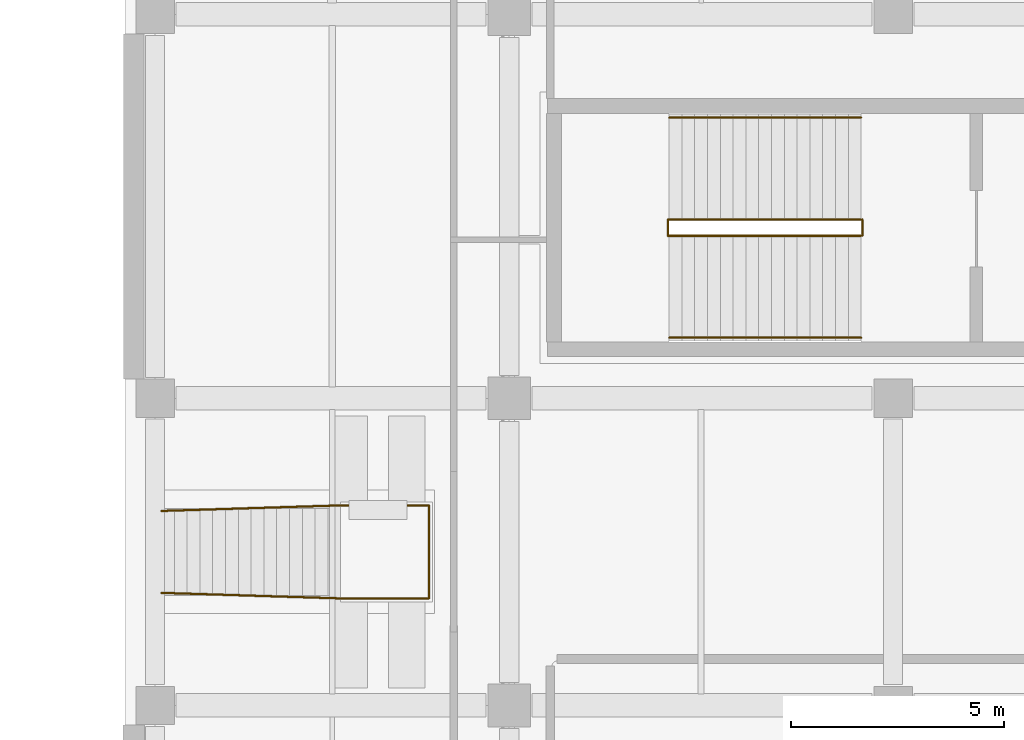
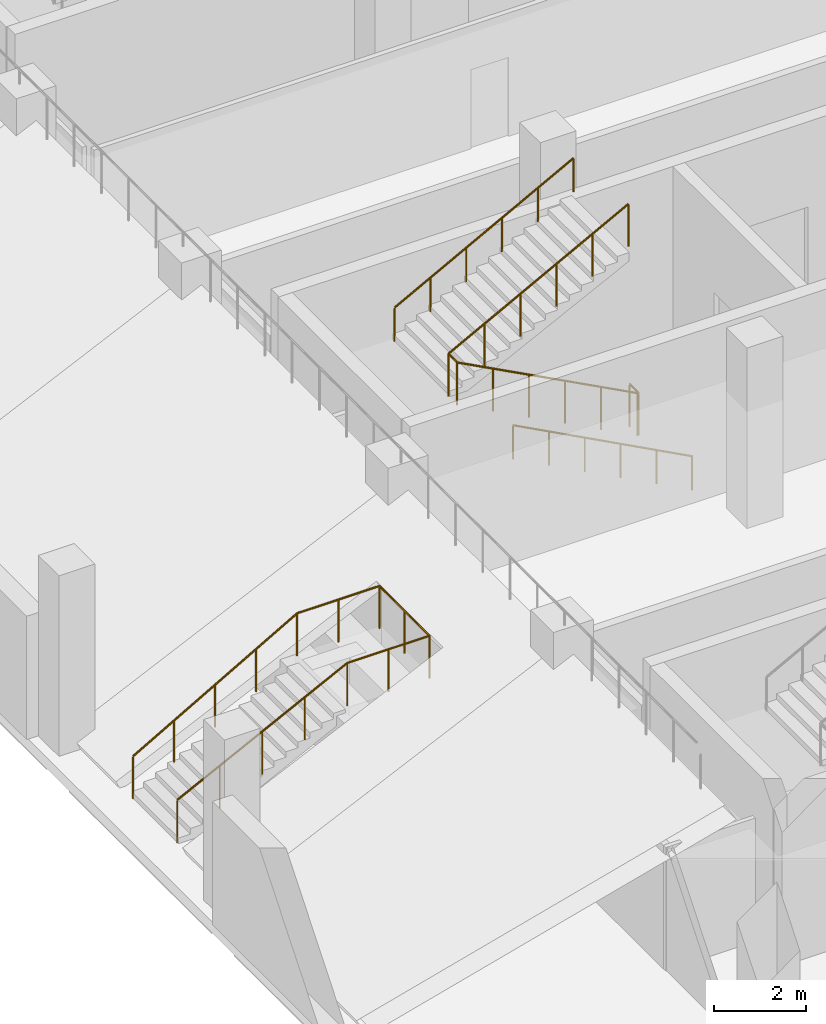
# One storey, part 90 of 100: 5 railings.
"""IFC4 building model written with IfcOpenShell, lengths in metres."""

from ifc_helpers import new_model, si_unit, direction, frame, origin, origin_2d, place, context, subcontext, project, spatial, circle, extrude, material, type_object, element, save


model = new_model("IFC4")

# Units and contexts
model_context = context("Model", 3, precision=1e-05, world=origin(), true_north=direction((0.0, 1.0)))
body_context = subcontext(model_context, "Body", "Model", "MODEL_VIEW")
ifc_project = project(units=[si_unit("LENGTHUNIT", "METRE"), si_unit("AREAUNIT", "SQUARE_METRE"), si_unit("VOLUMEUNIT", "CUBIC_METRE"), si_unit("PLANEANGLEUNIT", "RADIAN"), si_unit("MASSUNIT", "GRAM", prefix="KILO"), si_unit("THERMODYNAMICTEMPERATUREUNIT", "KELVIN"), si_unit("POWERUNIT", "WATT")], contexts=[model_context])

# Site, building, storey
site_placement = place(None, origin())
site = spatial("IfcSite", under=ifc_project, at=site_placement, CompositionType="ELEMENT")
building_placement = place(site_placement, origin())
building = spatial("IfcBuilding", under=site, at=building_placement, Name="Sindhuravela Promenade Stadium", CompositionType="ELEMENT")
storey_placement = place(building_placement, frame((0.0, 0.0, 4.800048828125)))
storey = spatial("IfcBuildingStorey", under=building, at=storey_placement, Name="L01", CompositionType="ELEMENT", Elevation=4.800048828125)

# Railings
ifc_material = material(Name="Architectural wrought steel E350", Category="steel")
railing_type_1 = type_object("IfcRailingType", Name="RL-GRD-1150", PredefinedType="GUARDRAIL", material=ifc_material)
railing_1_placement = place(storey_placement, frame((188.25, 72.2099609375, 0.0)))
element("IfcRailing", 1, at=railing_1_placement, inside=storey, type_object=railing_type_1, Name="Stair ST06 inner well guard (L01)", PredefinedType="GUARDRAIL", context=body_context, shape_type="SweptSolid", body=[
    extrude(circle(Radius=0.02392578125, at=origin_2d()), frame((0.0, 0.0, 1.1259765625), z_axis=(-0.8836546633431795, 0.0, 0.46813933390802775), x_axis=(0.0, -1.0, 0.0)), (0.0, 0.0, 1.0), 5.12646484375),
    extrude(circle(Radius=0.02392578125, at=origin_2d()), frame((-4.530029296875, 0.0, 3.52587890625), z_axis=(0.0, 1.0, 0.0), x_axis=(-1.0, 0.0, 0.0)), (0.0, 0.0, 1.0), 0.380126953125),
    extrude(circle(Radius=0.02392578125, at=origin_2d()), frame((-4.530029296875, 0.380126953125, 3.52587890625), z_axis=(0.8836349624059475, 0.0, 0.46817651928929505), x_axis=(0.0, 1.0, 0.0)), (0.0, 0.0, 1.0), 5.12646484375),
    extrude(circle(Radius=0.02099609375, at=origin_2d()), origin(), (0.0, 0.0, 1.0), 1.101806640625),
    extrude(circle(Radius=0.02099609375, at=origin_2d()), frame((-0.906005859375, 0.0, 0.47998046875)), (0.0, 0.0, 1.0), 1.101806640625),
    extrude(circle(Radius=0.02099609375, at=origin_2d()), frame((-1.81201171875, 0.0, 0.9599609375)), (0.0, 0.0, 1.0), 1.101806640625),
    extrude(circle(Radius=0.02099609375, at=origin_2d()), frame((-2.718017578125, 0.0, 1.43994140625)), (0.0, 0.0, 1.0), 1.101806640625),
    extrude(circle(Radius=0.02099609375, at=origin_2d()), frame((-3.6240234375, 0.0, 1.919921875)), (0.0, 0.0, 1.0), 1.101806640625),
    extrude(circle(Radius=0.02099609375, at=origin_2d()), frame((-4.530029296875, 0.0, 2.39990234375)), (0.0, 0.0, 1.0), 1.101806640625),
    extrude(circle(Radius=0.02099609375, at=origin_2d()), frame((-4.530029296875, 0.380126953125, 2.39990234375)), (0.0, 0.0, 1.0), 1.101806640625),
    extrude(circle(Radius=0.02099609375, at=origin_2d()), frame((-3.6240234375, 0.380126953125, 2.8798828125)), (0.0, 0.0, 1.0), 1.101806640625),
    extrude(circle(Radius=0.02099609375, at=origin_2d()), frame((-2.718017578125, 0.380126953125, 3.35986328125)), (0.0, 0.0, 1.0), 1.101806640625),
    extrude(circle(Radius=0.02099609375, at=origin_2d()), frame((-1.81201171875, 0.380126953125, 3.840087890625)), (0.0, 0.0, 1.0), 1.101806640625),
    extrude(circle(Radius=0.02099609375, at=origin_2d()), frame((-0.906005859375, 0.380126953125, 4.320068359375)), (0.0, 0.0, 1.0), 1.101806640625),
    extrude(circle(Radius=0.02099609375, at=origin_2d()), frame((0.0, 0.380126953125, 4.800048828125)), (0.0, 0.0, 1.0), 1.101806640625),
])
railing_2_placement = place(storey_placement, frame((188.280029296875, 72.2099609375, 0.0)))
element("IfcRailing", 2, at=railing_2_placement, inside=storey, type_object=railing_type_1, Name="Stair ST06 landing well slot guard (L01)", PredefinedType="GUARDRAIL", context=body_context, shape_type="SweptSolid", body=[
    extrude(circle(Radius=0.02392578125, at=origin_2d()), frame((0.0, 0.0, 1.1259765625), z_axis=(0.0, 1.0, 0.0), x_axis=(-1.0, 0.0, 0.0)), (0.0, 0.0, 1.0), 0.380126953125),
    extrude(circle(Radius=0.02099609375, at=origin_2d()), origin(), (0.0, 0.0, 1.0), 1.101806640625),
    extrude(circle(Radius=0.02099609375, at=origin_2d()), frame((0.0, 0.380126953125, 0.0)), (0.0, 0.0, 1.0), 1.101806640625),
])
railing_3_placement = place(storey_placement, frame((171.85009765625, 63.840087890625, 0.0)))
element("IfcRailing", 3, at=railing_3_placement, inside=storey, type_object=railing_type_1, Name="Vomitory VS06 flight & platform guard", PredefinedType="GUARDRAIL", context=body_context, shape_type="SweptSolid", body=[
    extrude(circle(Radius=0.02392578125, at=origin_2d()), frame((0.0, 0.0, 1.1259765625), z_axis=(0.8811491305038108, -0.027300615390253514, 0.4720496649841958), x_axis=(0.03096810782289172, 0.9995203731279667, 0.0)), (0.0, 0.0, 1.0), 4.766357421875),
    extrude(circle(Radius=0.02392578125, at=origin_2d()), frame((4.199951171875, -0.130126953125, 3.3759765625), z_axis=(1.0, 0.0, 0.0), x_axis=(0.0, 1.0, 0.0)), (0.0, 0.0, 1.0), 2.070068359375),
    extrude(circle(Radius=0.02392578125, at=origin_2d()), frame((6.27001953125, -0.130126953125, 3.3759765625), z_axis=(0.0, 1.0, 0.0), x_axis=(-1.0, 0.0, 0.0)), (0.0, 0.0, 1.0), 2.179931640625),
    extrude(circle(Radius=0.02392578125, at=origin_2d()), frame((6.27001953125, 2.0498046875, 3.3759765625), z_axis=(-1.0, 0.0, 0.0), x_axis=(0.0, -1.0, 0.0)), (0.0, 0.0, 1.0), 2.070068359375),
    extrude(circle(Radius=0.02392578125, at=origin_2d()), frame((4.199951171875, 2.0498046875, 3.3759765625), z_axis=(-0.8811503615104481, -0.02724943279216174, -0.47205032445970413), x_axis=(0.030910061871442473, -0.9995221698767385, 0.0)), (0.0, 0.0, 1.0), 4.766357421875),
    extrude(circle(Radius=0.02099609375, at=origin_2d()), origin(), (0.0, 0.0, 1.0), 1.101806640625),
    extrude(circle(Radius=0.02099609375, at=origin_2d()), frame((1.050048828125, -0.032470703125, 0.5625)), (0.0, 0.0, 1.0), 1.101806640625),
    extrude(circle(Radius=0.02099609375, at=origin_2d()), frame((2.10009765625, -0.06494140625, 1.125)), (0.0, 0.0, 1.0), 1.101806640625),
    extrude(circle(Radius=0.02099609375, at=origin_2d()), frame((3.14990234375, -0.09765625, 1.6875)), (0.0, 0.0, 1.0), 1.101806640625),
    extrude(circle(Radius=0.02099609375, at=origin_2d()), frame((4.199951171875, -0.130126953125, 2.25)), (0.0, 0.0, 1.0), 1.101806640625),
    extrude(circle(Radius=0.02099609375, at=origin_2d()), frame((5.23486328125, -0.130126953125, 2.25)), (0.0, 0.0, 1.0), 1.101806640625),
    extrude(circle(Radius=0.02099609375, at=origin_2d()), frame((6.27001953125, -0.130126953125, 2.25)), (0.0, 0.0, 1.0), 1.101806640625),
    extrude(circle(Radius=0.02099609375, at=origin_2d()), frame((6.27001953125, 0.9599609375, 2.25)), (0.0, 0.0, 1.0), 1.101806640625),
    extrude(circle(Radius=0.02099609375, at=origin_2d()), frame((6.27001953125, 2.0498046875, 2.25)), (0.0, 0.0, 1.0), 1.101806640625),
    extrude(circle(Radius=0.02099609375, at=origin_2d()), frame((5.23486328125, 2.0498046875, 2.25)), (0.0, 0.0, 1.0), 1.101806640625),
    extrude(circle(Radius=0.02099609375, at=origin_2d()), frame((4.199951171875, 2.0498046875, 2.25)), (0.0, 0.0, 1.0), 1.101806640625),
    extrude(circle(Radius=0.02099609375, at=origin_2d()), frame((3.14990234375, 2.017333984375, 1.6875)), (0.0, 0.0, 1.0), 1.101806640625),
    extrude(circle(Radius=0.02099609375, at=origin_2d()), frame((2.10009765625, 1.98486328125, 1.125)), (0.0, 0.0, 1.0), 1.101806640625),
    extrude(circle(Radius=0.02099609375, at=origin_2d()), frame((1.050048828125, 1.952392578125, 0.5625)), (0.0, 0.0, 1.0), 1.101806640625),
    extrude(circle(Radius=0.02099609375, at=origin_2d()), frame((0.0, 1.919921875, 0.0)), (0.0, 0.0, 1.0), 1.101806640625),
])
railing_type_2 = type_object("IfcRailingType", Name="RL-HND-920", PredefinedType="HANDRAIL", material=ifc_material)
railing_4_placement = place(storey_placement, frame((188.25, 69.820068359375, 0.0)))
element("IfcRailing", 4, at=railing_4_placement, inside=storey, type_object=railing_type_2, Name="Stair ST06 lower wall handrail (L01)", PredefinedType="HANDRAIL", context=body_context, shape_type="SweptSolid", body=[
    extrude(circle(Radius=0.02392578125, at=origin_2d()), frame((0.0, 0.0, 0.89599609375), z_axis=(-0.8823608919668723, 0.0, 0.4705733272588083), x_axis=(0.0, -1.0, 0.0)), (0.0, 0.0, 1.0), 5.099853515625),
    extrude(circle(Radius=0.02099609375, at=origin_2d()), origin(), (0.0, 0.0, 1.0), 0.871826171875),
    extrude(circle(Radius=0.02099609375, at=origin_2d()), frame((-0.89990234375, 0.0, 0.47998046875)), (0.0, 0.0, 1.0), 0.871826171875),
    extrude(circle(Radius=0.02099609375, at=origin_2d()), frame((-1.800048828125, 0.0, 0.9599609375)), (0.0, 0.0, 1.0), 0.871826171875),
    extrude(circle(Radius=0.02099609375, at=origin_2d()), frame((-2.699951171875, 0.0, 1.43994140625)), (0.0, 0.0, 1.0), 0.871826171875),
    extrude(circle(Radius=0.02099609375, at=origin_2d()), frame((-3.60009765625, 0.0, 1.919921875)), (0.0, 0.0, 1.0), 0.871826171875),
    extrude(circle(Radius=0.02099609375, at=origin_2d()), frame((-4.5, 0.0, 2.39990234375)), (0.0, 0.0, 1.0), 0.871826171875),
])
railing_5_placement = place(storey_placement, frame((183.75, 74.97998046875, 2.39990234375)))
element("IfcRailing", 5, at=railing_5_placement, inside=storey, type_object=railing_type_2, Name="Stair ST06 upper wall handrail (L01)", PredefinedType="HANDRAIL", context=body_context, shape_type="SweptSolid", body=[
    extrude(circle(Radius=0.02392578125, at=origin_2d()), frame((0.0, 0.0, 0.89599609375), z_axis=(0.8823410147872734, 0.0, 0.47061059659145427), x_axis=(0.0, 1.0, 0.0)), (0.0, 0.0, 1.0), 5.10009765625),
    extrude(circle(Radius=0.02099609375, at=origin_2d()), origin(), (0.0, 0.0, 1.0), 0.871826171875),
    extrude(circle(Radius=0.02099609375, at=origin_2d()), frame((0.89990234375, 0.0, 0.47998046875)), (0.0, 0.0, 1.0), 0.871826171875),
    extrude(circle(Radius=0.02099609375, at=origin_2d()), frame((1.800048828125, 0.0, 0.9599609375)), (0.0, 0.0, 1.0), 0.871826171875),
    extrude(circle(Radius=0.02099609375, at=origin_2d()), frame((2.699951171875, 0.0, 1.440185546875)), (0.0, 0.0, 1.0), 0.871826171875),
    extrude(circle(Radius=0.02099609375, at=origin_2d()), frame((3.60009765625, 0.0, 1.920166015625)), (0.0, 0.0, 1.0), 0.871826171875),
    extrude(circle(Radius=0.02099609375, at=origin_2d()), frame((4.5, 0.0, 2.400146484375)), (0.0, 0.0, 1.0), 0.871826171875),
])

save(model, "model.ifc")
